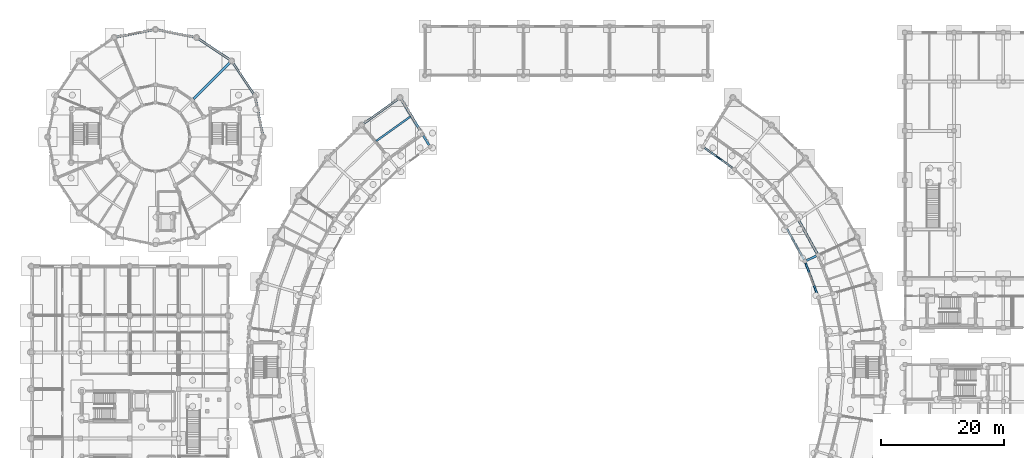
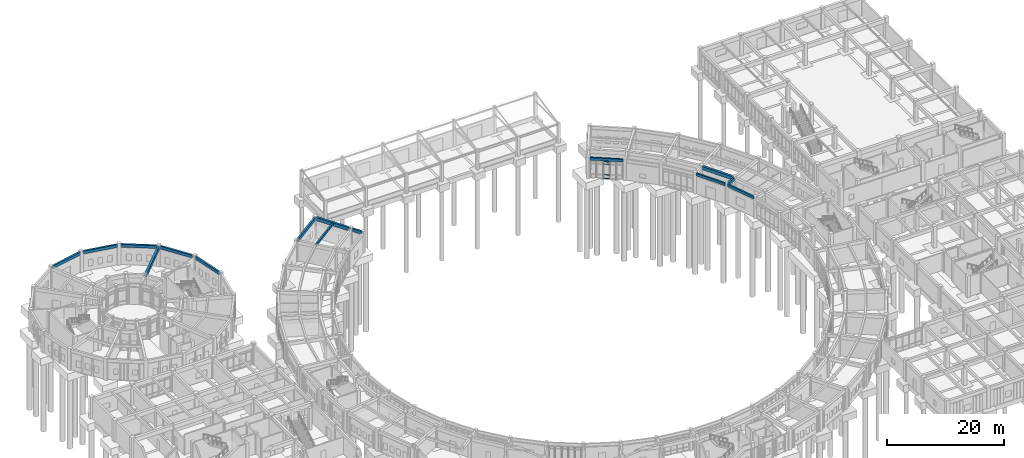
# One storey, part 76 of 153: 15 beams, 4 members, 1 element without a shape of its own.
"""IFC4 building model written with IfcOpenShell, lengths in metres."""

import ifcopenshell
import ifcopenshell.guid

model = None  # the IFC model being written
_history = None  # IfcOwnerHistory: only IFC2X3 demands one
_inside = {}  # id of a spatial element -> (the spatial element, [elements in it])
_under = {}  # id of a project, library or spatial element -> (it, [spatial elements below it])
_declared = {}  # id of a project -> (the project, [libraries it declares])
_typed = {}  # id of a type object -> (the type object, [elements of that type])
_made_of = {}  # id of a material, layer set ... -> (it, [elements and type objects made of it])


def new_model(schema):
    """Start an empty IFC model of exactly this schema.

    Asked for "IFC4X3", IfcOpenShell would pick the latest addendum, in which some entities
    have other attributes; the version numbers below select the first issue.
    IFC2X3 requires an IfcOwnerHistory on every rooted entity: one is made here for all.
    """
    global model, _history
    if schema == "IFC4X3":
        model = ifcopenshell.file(schema_version=(4, 3, 0, 0))
    else:
        model = ifcopenshell.file(schema=schema)
    _inside.clear()
    _under.clear()
    _declared.clear()
    _typed.clear()
    _made_of.clear()
    _history = None
    if model.schema == "IFC2X3":
        org = make("IfcOrganization", Name="unknown")
        user = make(
            "IfcPersonAndOrganization",
            ThePerson=make("IfcPerson", FamilyName="unknown"),
            TheOrganization=org,
        )
        app = make(
            "IfcApplication",
            ApplicationDeveloper=org,
            Version="unknown",
            ApplicationFullName="unknown",
            ApplicationIdentifier="unknown",
        )
        _history = make(
            "IfcOwnerHistory",
            OwningUser=user,
            OwningApplication=app,
            ChangeAction="ADDED",
            CreationDate=0,
        )
    return model


def make(cls, **values):
    """One entity of the class cls with the attributes given. An attribute that is None is left unset."""
    return model.create_entity(
        cls, **{name: value for name, value in values.items() if value is not None}
    )


def rooted(cls, **values):
    """An entity with a GlobalId (a new one), such as an element, a storey or a relation."""
    return make(cls, GlobalId=ifcopenshell.guid.new(), OwnerHistory=_history, **values)


def si_unit(unit_type, name, prefix=None):
    """IfcSIUnit, for example si_unit("LENGTHUNIT", "METRE", prefix="MILLI")."""
    return make("IfcSIUnit", UnitType=unit_type, Prefix=prefix, Name=name)


def assignment(units):
    """IfcUnitAssignment: the units of a project."""
    return None if units is None else make("IfcUnitAssignment", Units=units)


def point(xyz):
    """IfcCartesianPoint."""
    return None if xyz is None else make("IfcCartesianPoint", Coordinates=xyz)


def direction(xyz):
    """IfcDirection."""
    return None if xyz is None else make("IfcDirection", DirectionRatios=xyz)


def frame(location, z_axis=None, x_axis=None):
    """IfcAxis2Placement3D, a coordinate frame: its origin and axes. An axis left out is left unset."""
    return make(
        "IfcAxis2Placement3D",
        Location=point(location),
        Axis=direction(z_axis),
        RefDirection=direction(x_axis),
    )


def frame_2d(location, x_axis=None):
    """IfcAxis2Placement2D, a coordinate frame in the plane: its origin and x axis."""
    return make(
        "IfcAxis2Placement2D", Location=point(location), RefDirection=direction(x_axis)
    )


def origin():
    """The frame at (0, 0, 0) with its axes left unset."""
    return frame((0.0, 0.0, 0.0))


def origin_2d():
    """The frame at (0, 0) in the plane with its x axis left unset."""
    return frame_2d((0.0, 0.0))


def place(relative_to, where):
    """IfcLocalPlacement: puts the frame where relative to a parent placement (None: the world)."""
    return make(
        "IfcLocalPlacement", PlacementRelTo=relative_to, RelativePlacement=where
    )


def context(
    kind, dimensions, precision=None, world=None, true_north=None, identifier=None
):
    """IfcGeometricRepresentationContext, for example the 3D "Model" context."""
    return make(
        "IfcGeometricRepresentationContext",
        ContextIdentifier=identifier,
        ContextType=kind,
        CoordinateSpaceDimension=dimensions,
        Precision=precision,
        WorldCoordinateSystem=world,
        TrueNorth=true_north,
    )


def subcontext(parent, identifier, kind, view, scale=None):
    """IfcGeometricRepresentationSubContext, for example "Body" below "Model"."""
    return make(
        "IfcGeometricRepresentationSubContext",
        ContextIdentifier=identifier,
        ContextType=kind,
        ParentContext=parent,
        TargetScale=scale,
        TargetView=view,
    )


def project(units=None, contexts=None):
    """IfcProject with its units and contexts."""
    return rooted(
        "IfcProject",
        Name="project",
        RepresentationContexts=contexts,
        UnitsInContext=assignment(units),
    )


def spatial(cls, under=None, at=None, **own):
    """A site, building, storey or space (cls), placed at a placement, below another one or the project."""
    s = rooted(cls, ObjectPlacement=at, **own)
    if under is not None:
        _under.setdefault(under.id(), (under, []))[1].append(s)
    return s


def profile(cls, at=None, kind="AREA", **sizes):
    """A parametric profile (cls). Its sizes go by their IFC names, for example OverallWidth=200.0."""
    return make(cls, ProfileType=kind, Position=at, **sizes)


def rectangle(**sizes):
    """IfcRectangleProfileDef."""
    return profile("IfcRectangleProfileDef", **sizes)


def hollow_rectangle(**sizes):
    """IfcRectangleHollowProfileDef."""
    return profile("IfcRectangleHollowProfileDef", **sizes)


def extrude(swept, where, along, depth):
    """IfcExtrudedAreaSolid: the profile swept, set in the frame where, extruded along a direction by depth."""
    return make(
        "IfcExtrudedAreaSolid",
        SweptArea=swept,
        Position=where,
        ExtrudedDirection=direction(along),
        Depth=depth,
    )


def shape(context_of_items, identifier, shape_type, items):
    """IfcShapeRepresentation: the items that make up one representation, for example the "Body"."""
    return make(
        "IfcShapeRepresentation",
        ContextOfItems=context_of_items,
        RepresentationIdentifier=identifier,
        RepresentationType=shape_type,
        Items=items,
    )


def material(Name=None, Category=None):
    """IfcMaterial."""
    return make("IfcMaterial", Name=Name, Category=Category)


def material_profile(
    of_material, cross_section, Name=None, Category=None, Priority=None
):
    """IfcMaterialProfile: a cross section and its material."""
    return make(
        "IfcMaterialProfile",
        Name=Name,
        Material=of_material,
        Profile=cross_section,
        Priority=Priority,
        Category=Category,
    )


def profile_set(profiles, Name=None, composite=None):
    """IfcMaterialProfileSet."""
    return make(
        "IfcMaterialProfileSet",
        Name=Name,
        MaterialProfiles=profiles,
        CompositeProfile=composite,
    )


def made_of(thing, what):
    """Note that an element or type object is made of a material, layer set ...; save() writes the relation."""
    if what is not None:
        _made_of.setdefault(what.id(), (what, []))[1].append(thing)
    return thing


def type_object(cls, material=None, **own):
    """A type object (cls), such as IfcWallType, which elements share."""
    return made_of(rooted(cls, **own), material)


def element(
    cls,
    number,
    at=None,
    inside=None,
    cuts=None,
    type_object=None,
    material=None,
    context=None,
    identifier="Body",
    shape_type=None,
    held_by="IfcProductDefinitionShape",
    body=None,
    shapes=None,
    **own,
):
    """One element of the class cls, such as IfcWall. Its Tag is "e" and its number.

    at: its placement. inside: the storey or other place that contains it. cuts: it is an
    opening in that element (IfcRelVoidsElement). A single representation is given by context,
    identifier, shape_type and body (its items); several are given by shapes. held_by: the class
    of the entity that holds the representations. save() writes the other relations.
    """
    e = rooted(cls, Tag="e%d" % number, ObjectPlacement=at, **own)
    if body is not None:
        shapes = [shape(context, identifier, shape_type, body)]
    if shapes is not None:
        e.Representation = make(held_by, Representations=shapes)
    if inside is not None:
        _inside.setdefault(inside.id(), (inside, []))[1].append(e)
    if cuts is not None:
        rooted(
            "IfcRelVoidsElement", RelatingBuildingElement=cuts, RelatedOpeningElement=e
        )
    if type_object is not None:
        _typed.setdefault(type_object.id(), (type_object, []))[1].append(e)
    return made_of(e, material)


def aggregate(whole, parts):
    """IfcRelAggregates: a whole, such as a stair, and the parts it consists of."""
    return rooted("IfcRelAggregates", RelatingObject=whole, RelatedObjects=parts)


def save(model, path):
    """Write the relations noted so far, then the file.

    IfcRelAggregates (storeys below a building ...), IfcRelContainedInSpatialStructure (elements
    in a storey), IfcRelDefinesByType, IfcRelAssociatesMaterial and IfcRelDeclares: one each for
    every whole, place, type object, material and project.
    """
    for whole, parts in _under.values():
        aggregate(whole, parts)
    for where, things in _inside.values():
        rooted(
            "IfcRelContainedInSpatialStructure",
            RelatedElements=things,
            RelatingStructure=where,
        )
    for kind, things in _typed.values():
        rooted("IfcRelDefinesByType", RelatedObjects=things, RelatingType=kind)
    for what, things in _made_of.values():
        rooted("IfcRelAssociatesMaterial", RelatedObjects=things, RelatingMaterial=what)
    for by, libraries in _declared.values():
        rooted("IfcRelDeclares", RelatingContext=by, RelatedDefinitions=libraries)
    model.write(path)


model = new_model("IFC4")

# Units and contexts
model_context = context("Model", 3, precision=1e-05, world=origin(), true_north=direction((0.0, 1.0)))
body_context = subcontext(model_context, "Body", "Model", "MODEL_VIEW")
ifc_project = project(units=[si_unit("LENGTHUNIT", "METRE"), si_unit("AREAUNIT", "SQUARE_METRE"), si_unit("VOLUMEUNIT", "CUBIC_METRE"), si_unit("PLANEANGLEUNIT", "RADIAN"), si_unit("MASSUNIT", "GRAM", prefix="KILO")], contexts=[model_context])

# Site, building, storey
site_placement = place(None, origin())
site = spatial("IfcSite", under=ifc_project, at=site_placement, CompositionType="ELEMENT")
building_placement = place(site_placement, origin())
building = spatial("IfcBuilding", under=site, at=building_placement, Name="Celadon Cloister-Ring School", CompositionType="ELEMENT")
storey_placement = place(building_placement, origin())
storey = spatial("IfcBuildingStorey", under=building, at=storey_placement, Name="L00", CompositionType="ELEMENT", Elevation=0.0)

# Beams
ifc_material_1 = material(Name="Concrete C35/45", Category="concrete")
ifc_material_profile_1 = material_profile(ifc_material_1, rectangle(XDim=0.35009765625, YDim=0.60009765625, at=origin_2d()), Name="RC350X600")
ifc_profile_set_1 = profile_set([ifc_material_profile_1], Name="Concrete C35/45")
beam_type_1 = type_object("IfcBeamType", Name="BT-02", PredefinedType="BEAM", material=ifc_profile_set_1)
beam_1_placement = place(storey_placement, frame((63.7509765625, 97.20703125, 3.97998046875), z_axis=(0.520047301732, -0.854137461982, 0.0), x_axis=(0.854137461982, 0.520047301732, 0.0)))
element("IfcBeam", 1, at=beam_1_placement, inside=storey, type_object=beam_type_1, Name="Beam 0002", PredefinedType="BEAM", context=body_context, shape_type="SweptSolid", body=[
    extrude(rectangle(XDim=0.35009765625, YDim=0.60009765625, at=origin_2d()), origin(), (0.0, 0.0, 1.0), 1.77490234375),
])
beam_2_placement = place(storey_placement, frame((127.634033203125, 77.68603515625, 3.97998046875), z_axis=(-0.908405818114, -0.418089547365, 0.0), x_axis=(0.418089547365, -0.908405818114, 0.0)))
element("IfcBeam", 2, at=beam_2_placement, inside=storey, type_object=beam_type_1, Name="Beam 0060", PredefinedType="BEAM", context=body_context, shape_type="SweptSolid", body=[
    extrude(rectangle(XDim=0.35009765625, YDim=0.60009765625, at=origin_2d()), origin(), (0.0, 0.0, 1.0), 1.774658203125),
])

# Curtain wall, members
ifc_material_2 = material(Name="Aluminium EN AW-6063 T6", Category="aluminium")
curtain_wall_type = type_object("IfcCurtainWallType", Name="CW-01", PredefinedType="USERDEFINED", material=ifc_material_2)
curtain_wall_placement = place(storey_placement, origin())
curtain_wall = element("IfcCurtainWall", 3, at=curtain_wall_placement, inside=storey, type_object=curtain_wall_type, Name="Curtain Wall 0020", ObjectType="CURTAIN WALL", PredefinedType="USERDEFINED")
ifc_material_3 = material(Name="Aluminium EN AW-6063 T6", Category="aluminium")
ifc_material_profile_2 = material_profile(ifc_material_3, hollow_rectangle(XDim=0.074951171875, YDim=0.074951171875, WallThickness=0.00390625, at=origin_2d()), Name="RHS75X75X4")
ifc_profile_set_2 = profile_set([ifc_material_profile_2], Name="Aluminium EN AW-6063 T6")
member_type = type_object("IfcMemberType", Name="CTM-03", PredefinedType="USERDEFINED", material=ifc_profile_set_2)
member_1_placement = place(storey_placement, frame((112.168701171875, 93.291015625, 0.03759765625), z_axis=(-0.813467330106, 0.581610611019, 0.0), x_axis=(-0.581610611019, -0.813467330106, 0.0)))
member_1 = element("IfcMember", 4, at=member_1_placement, type_object=member_type, Name="CW-01 transom 3.1", ObjectType="TRANSOM", PredefinedType="USERDEFINED", context=body_context, shape_type="SweptSolid", body=[
    extrude(hollow_rectangle(XDim=0.074951171875, YDim=0.074951171875, WallThickness=0.00390625, at=origin_2d()), origin(), (0.0, 0.0, 1.0), 1.053955078125),
])
member_2_placement = place(storey_placement, frame((112.168701171875, 93.291015625, 0.800048828125), z_axis=(-0.813467330106, 0.581610611019, 0.0), x_axis=(-0.581610611019, -0.813467330106, 0.0)))
member_2 = element("IfcMember", 5, at=member_2_placement, type_object=member_type, Name="CW-01 transom 3.2", ObjectType="TRANSOM", PredefinedType="USERDEFINED", context=body_context, shape_type="SweptSolid", body=[
    extrude(hollow_rectangle(XDim=0.074951171875, YDim=0.074951171875, WallThickness=0.00390625, at=origin_2d()), origin(), (0.0, 0.0, 1.0), 1.053955078125),
])
member_3_placement = place(storey_placement, frame((112.168701171875, 93.291015625, 3.0), z_axis=(-0.813467330106, 0.581610611019, 0.0), x_axis=(-0.581610611019, -0.813467330106, 0.0)))
member_3 = element("IfcMember", 6, at=member_3_placement, type_object=member_type, Name="CW-01 transom 3.3", ObjectType="TRANSOM", PredefinedType="USERDEFINED", context=body_context, shape_type="SweptSolid", body=[
    extrude(hollow_rectangle(XDim=0.074951171875, YDim=0.074951171875, WallThickness=0.00390625, at=origin_2d()), origin(), (0.0, 0.0, 1.0), 1.053955078125),
])
member_4_placement = place(storey_placement, frame((112.168701171875, 93.291015625, 3.512451171875), z_axis=(-0.813467330106, 0.581610611019, 0.0), x_axis=(-0.581610611019, -0.813467330106, 0.0)))
member_4 = element("IfcMember", 7, at=member_4_placement, type_object=member_type, Name="CW-01 transom 3.4", ObjectType="TRANSOM", PredefinedType="USERDEFINED", context=body_context, shape_type="SweptSolid", body=[
    extrude(hollow_rectangle(XDim=0.074951171875, YDim=0.074951171875, WallThickness=0.00390625, at=origin_2d()), origin(), (0.0, 0.0, 1.0), 1.053955078125),
])
aggregate(curtain_wall, [member_1, member_2, member_3, member_4])

# Beams
ifc_material_4 = material(Name="Concrete C35/45", Category="concrete")
ifc_material_profile_3 = material_profile(ifc_material_4, rectangle(XDim=0.39990234375, YDim=0.699951171875, at=origin_2d()), Name="RC400X700")
ifc_profile_set_3 = profile_set([ifc_material_profile_3], Name="Concrete C35/45")
beam_type_2 = type_object("IfcBeamType", Name="GT-03", PredefinedType="USERDEFINED", material=ifc_profile_set_3)
beam_3_placement = place(storey_placement, frame((60.125, 103.166015625, 3.929931640625), z_axis=(0.519827607183, -0.854271185754, 0.0), x_axis=(0.854271185754, 0.519827607183, 0.0)))
element("IfcBeam", 8, at=beam_3_placement, inside=storey, type_object=beam_type_2, Name="Beam 0001", ObjectType="GIRDER", PredefinedType="USERDEFINED", context=body_context, shape_type="SweptSolid", body=[
    extrude(rectangle(XDim=0.39990234375, YDim=0.699951171875, at=origin_2d()), origin(), (0.0, 0.0, 1.0), 6.42529296875),
])
beam_4_placement = place(storey_placement, frame((127.7509765625, 78.0419921875, 3.929931640625), z_axis=(-0.483967737304, 0.875085841074, 0.0), x_axis=(-0.875085841074, -0.483967737304, 0.0)))
element("IfcBeam", 9, at=beam_4_placement, inside=storey, type_object=beam_type_2, Name="Beam 0184", ObjectType="GIRDER", PredefinedType="USERDEFINED", context=body_context, shape_type="SweptSolid", body=[
    extrude(rectangle(XDim=0.39990234375, YDim=0.699951171875, at=origin_2d()), origin(), (0.0, 0.0, 1.0), 6.115966796875),
])
beam_5_placement = place(storey_placement, frame((32.362060546875, 109.162109375, 3.909912109375), z_axis=(-0.707106781187, -0.707106781187, 0.0), x_axis=(0.707106781187, -0.707106781187, 0.0)))
element("IfcBeam", 10, at=beam_5_placement, inside=storey, type_object=beam_type_2, Name="Beam 0592", ObjectType="GIRDER", PredefinedType="USERDEFINED", context=body_context, shape_type="SweptSolid", body=[
    extrude(rectangle(XDim=0.39990234375, YDim=0.699951171875, at=origin_2d()), origin(), (0.0, 0.0, 1.0), 8.42578125),
])
ifc_material_5 = material(Name="Concrete C35/45", Category="concrete")
ifc_material_profile_4 = material_profile(ifc_material_5, rectangle(XDim=0.300048828125, YDim=0.449951171875, at=origin_2d()), Name="RC300X450")
ifc_profile_set_4 = profile_set([ifc_material_profile_4], Name="Concrete C35/45")
beam_type_3 = type_object("IfcBeamType", Name="JT-01", PredefinedType="JOIST", material=ifc_profile_set_4)
beam_6_placement = place(storey_placement, frame((61.64697265625, 100.330078125, 4.054931640625), z_axis=(-0.813530711364, -0.581521952868, 0.0), x_axis=(0.581521952868, -0.813530711364, 0.0)))
element("IfcBeam", 11, at=beam_6_placement, inside=storey, type_object=beam_type_3, Name="Beam 0072", PredefinedType="JOIST", context=body_context, shape_type="SweptSolid", body=[
    extrude(rectangle(XDim=0.300048828125, YDim=0.449951171875, at=origin_2d()), origin(), (0.0, 0.0, 1.0), 6.835693359375),
])
ifc_material_6 = material(Name="Concrete C35/45", Category="concrete")
ifc_material_profile_5 = material_profile(ifc_material_6, rectangle(XDim=0.35009765625, YDim=0.60009765625, at=origin_2d()), Name="RC350X600")
ifc_profile_set_5 = profile_set([ifc_material_profile_5], Name="Concrete C35/45")
beam_type_4 = type_object("IfcBeamType", Name="SP-01", PredefinedType="SPANDREL", material=ifc_profile_set_5)
beam_7_placement = place(storey_placement, frame((59.72509765625, 103.2470703125, 3.97998046875), z_axis=(-0.813473280121, -0.581602288965, 0.0), x_axis=(0.581602288965, -0.813473280121, 0.0)))
element("IfcBeam", 12, at=beam_7_placement, inside=storey, type_object=beam_type_4, Name="Beam 0069", PredefinedType="SPANDREL", context=body_context, shape_type="SweptSolid", body=[
    extrude(rectangle(XDim=0.35009765625, YDim=0.60009765625, at=origin_2d()), origin(), (0.0, 0.0, 1.0), 7.10302734375),
])
for number, where, z_axis, x_axis, name in (
    (13, (37.64111328125, 97.2939453125, 3.9599609375), (-0.194925014897, 0.980818147552, 0.0), (-0.980818147552, -0.194925014897, 0.0), "Beam 0613"),
    (14, (36.200927734375, 103.946044921875, 3.9599609375), (-0.555514042993, 0.831507154531, 0.0), (-0.831507154531, -0.555514042993, 0.0), "Beam 0615"),
    (15, (32.324951171875, 109.541015625, 3.9599609375), (-0.831507154531, 0.555514042993, 0.0), (-0.555514042993, -0.831507154531, 0.0), "Beam 0618"),
    (16, (26.60302734375, 113.22705078125, 3.9599609375), (-0.980825640738, 0.194887307107, 0.0), (-0.194887307107, -0.980825640738, 0.0), "Beam 0621"),
):
    element("IfcBeam", number, at=place(storey_placement, frame(where, z_axis=z_axis, x_axis=x_axis)), inside=storey, type_object=beam_type_4, Name=name, PredefinedType="SPANDREL", context=body_context, shape_type="SweptSolid", body=[
        extrude(rectangle(XDim=0.35009765625, YDim=0.60009765625, at=origin_2d()), origin(), (0.0, 0.0, 1.0), 6.228515625),
    ])
beam_8_placement = place(storey_placement, frame((19.906005859375, 114.44091796875, 3.9599609375), z_axis=(-0.980824151909, -0.194894799908, 0.0), x_axis=(0.194894799908, -0.980824151909, 0.0)))
element("IfcBeam", 17, at=beam_8_placement, inside=storey, type_object=beam_type_4, Name="Beam 0624", PredefinedType="SPANDREL", context=body_context, shape_type="SweptSolid", body=[
    extrude(rectangle(XDim=0.35009765625, YDim=0.60009765625, at=origin_2d()), origin(), (0.0, 0.0, 1.0), 6.228271484375),
])
ifc_material_7 = material(Name="Concrete C35/45", Category="concrete")
ifc_material_profile_6 = material_profile(ifc_material_7, rectangle(XDim=0.300048828125, YDim=0.550048828125, at=origin_2d()), Name="RC300X550")
ifc_profile_set_6 = profile_set([ifc_material_profile_6], Name="Concrete C35/45")
beam_type_5 = type_object("IfcBeamType", Name="SP-02", PredefinedType="SPANDREL", material=ifc_profile_set_6)
for number, where, z_axis, x_axis, name in (
    (18, (127.85205078125, 71.179931640625, 4.0048828125), (-0.34939642525, 0.936974993275, 0.0), (-0.936974993275, -0.34939642525, 0.0), "Beam 0181"),
    (19, (125.60400390625, 77.08203125, 4.0048828125), (-0.484054429949, 0.875037889949, 0.0), (-0.875037889949, -0.484054429949, 0.0), "Beam 0185"),
):
    element("IfcBeam", number, at=place(storey_placement, frame(where, z_axis=z_axis, x_axis=x_axis)), inside=storey, type_object=beam_type_5, Name=name, PredefinedType="SPANDREL", context=body_context, shape_type="SweptSolid", body=[
        extrude(rectangle(XDim=0.300048828125, YDim=0.550048828125, at=origin_2d()), origin(), (0.0, 0.0, 1.0), 5.718505859375),
    ])
beam_9_placement = place(storey_placement, frame((114.06591796875, 91.93408203125, 4.0048828125), z_axis=(-0.813390089267, 0.581718628447, 0.0), x_axis=(-0.581718628447, -0.813390089267, 0.0)))
element("IfcBeam", 20, at=beam_9_placement, inside=storey, type_object=beam_type_5, Name="Beam 0197", PredefinedType="SPANDREL", context=body_context, shape_type="SweptSolid", body=[
    extrude(rectangle(XDim=0.300048828125, YDim=0.550048828125, at=origin_2d()), origin(), (0.0, 0.0, 1.0), 5.718994140625),
])

save(model, "model.ifc")
